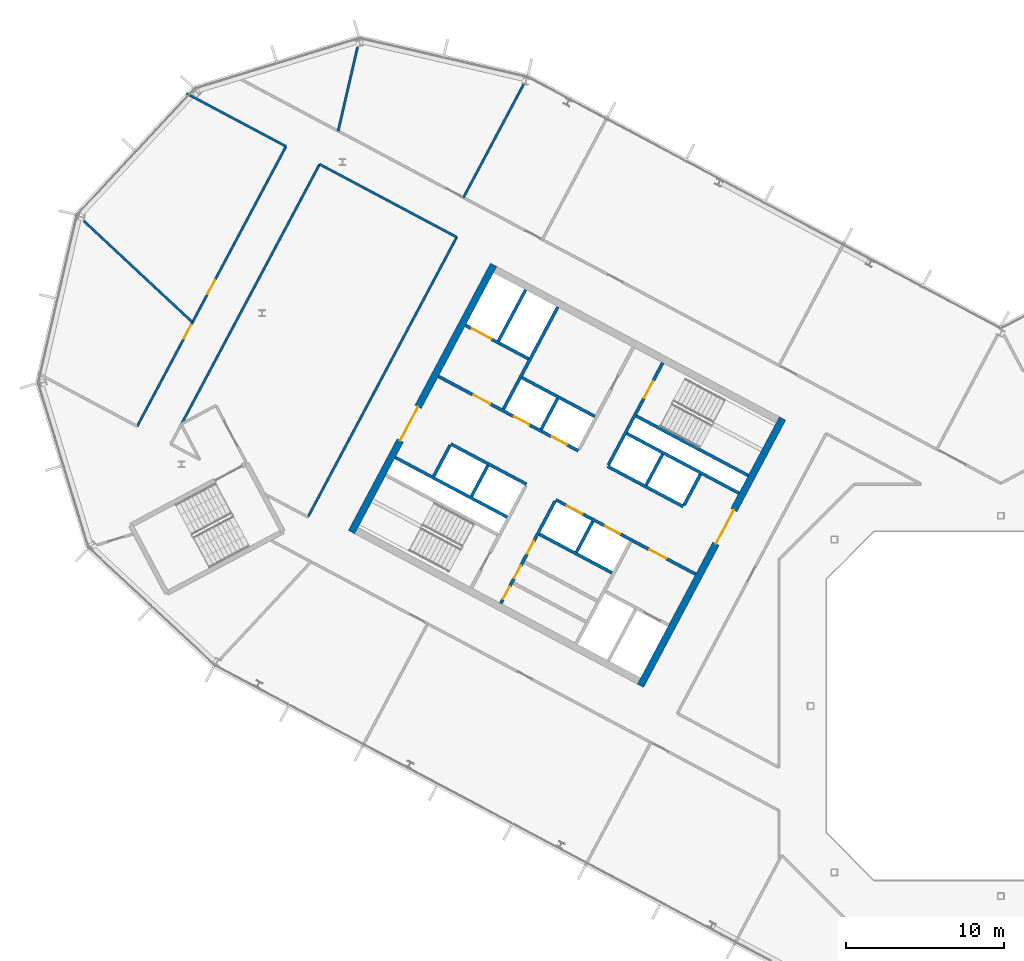
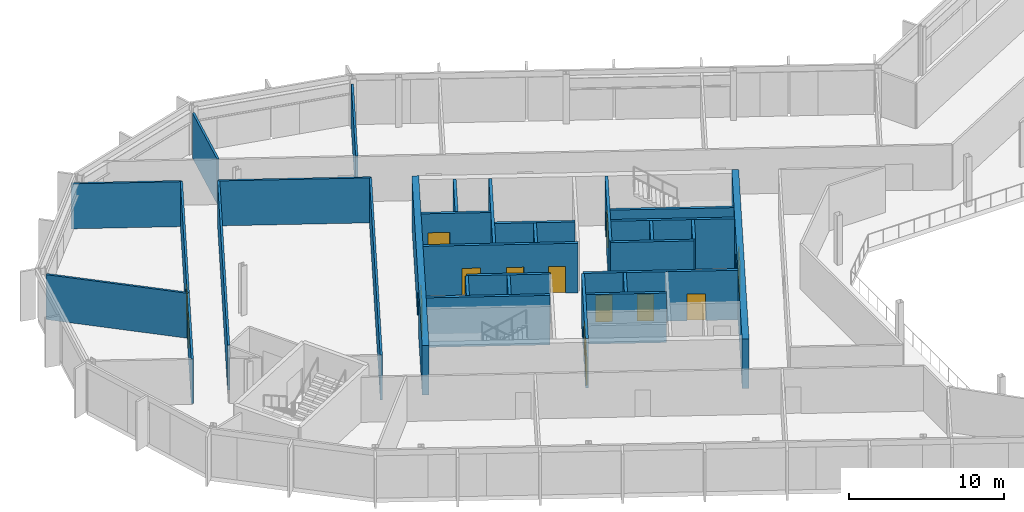
# One storey, part 14 of 26: 30 walls, 15 doors, 15 openings.
"""IFC4 building model written with IfcOpenShell, lengths in metres."""

from ifc_helpers import new_model, si_unit, direction, frame, frame_2d, origin, place, context, subcontext, project, spatial, rectangle, extrude, material, layer, layer_set, type_object, element, fill, save


model = new_model("IFC4")

# Units and contexts
model_context = context("Model", 3, precision=1e-05, world=origin(), true_north=direction((0.0, 1.0)))
body_context = subcontext(model_context, "Body", "Model", "MODEL_VIEW")
ifc_project = project(units=[si_unit("LENGTHUNIT", "METRE"), si_unit("AREAUNIT", "SQUARE_METRE"), si_unit("VOLUMEUNIT", "CUBIC_METRE"), si_unit("PLANEANGLEUNIT", "RADIAN"), si_unit("MASSUNIT", "GRAM", prefix="KILO")], contexts=[model_context])

# Site, building, storey
site_placement = place(None, origin())
site = spatial("IfcSite", under=ifc_project, at=site_placement, CompositionType="ELEMENT")
building_placement = place(site_placement, origin())
building = spatial("IfcBuilding", under=site, at=building_placement, Name="Cormorant Relay Tower", CompositionType="ELEMENT")
storey_placement = place(building_placement, frame((0.0, 0.0, 261.89990234375)))
storey = spatial("IfcBuildingStorey", under=building, at=storey_placement, Name="L58", CompositionType="ELEMENT", Elevation=261.89990234375)

# Walls
ifc_material_1 = material(Name="Concrete 40 MPa", Category="concrete")
ifc_layer_1 = layer(ifc_material_1, 0.199951171875)
ifc_layer_set_1 = layer_set([ifc_layer_1], Name="Core internal wall 200")
wall_type_1 = type_object("IfcWallType", Name="Core internal wall 200", PredefinedType="SOLIDWALL", material=ifc_layer_set_1)
wall_1_placement = place(storey_placement, frame((-21.34375, 15.87890625, 0.0), z_axis=(0.0, 0.0, 1.0), x_axis=(-0.4694473164, -0.882960484464, 0.0)))
element("IfcWall", 1, at=wall_1_placement, inside=storey, type_object=wall_type_1, Name="L58 core A shaft and room wall", PredefinedType="SOLIDWALL", context=body_context, shape_type="SweptSolid", body=[
    extrude(rectangle(XDim=2.199951171875, YDim=0.199951171875, at=frame_2d((1.10009765625, 0.0))), origin(), (0.0, 0.0, 1.0), 3.900146484375),
])
wall_2_placement = place(storey_placement, frame((-25.744140625, 11.64990234375, 0.0), z_axis=(0.0, 0.0, 1.0), x_axis=(-0.469487830541, -0.882938942948, 0.0)))
element("IfcWall", 2, at=wall_2_placement, inside=storey, type_object=wall_type_1, Name="L58 core A shaft and room wall", PredefinedType="SOLIDWALL", context=body_context, shape_type="SweptSolid", body=[
    extrude(rectangle(XDim=2.2001953125, YDim=0.199951171875, at=frame_2d((1.10009765625, 0.0))), origin(), (0.0, 0.0, 1.0), 3.900146484375),
])
wall_3_placement = place(storey_placement, frame((-27.9658203125, 19.39990234375, 0.0), z_axis=(0.0, 0.0, 1.0), x_axis=(-0.4694473164, -0.882960484464, 0.0)))
element("IfcWall", 3, at=wall_3_placement, inside=storey, type_object=wall_type_1, Name="L58 core A shaft and room wall", PredefinedType="SOLIDWALL", context=body_context, shape_type="SweptSolid", body=[
    extrude(rectangle(XDim=2.199951171875, YDim=0.199951171875, at=frame_2d((1.10009765625, 0.0))), origin(), (0.0, 0.0, 1.0), 3.900146484375),
])
wall_4_placement = place(storey_placement, frame((-32.3662109375, 15.1708984375, 0.0), z_axis=(0.0, 0.0, 1.0), x_axis=(-0.469487830541, -0.882938942948, 0.0)))
element("IfcWall", 4, at=wall_4_placement, inside=storey, type_object=wall_type_1, Name="L58 core A shaft and room wall", PredefinedType="SOLIDWALL", context=body_context, shape_type="SweptSolid", body=[
    extrude(rectangle(XDim=2.2001953125, YDim=0.199951171875, at=frame_2d((1.10009765625, 0.0))), origin(), (0.0, 0.0, 1.0), 3.900146484375),
])
ifc_material_2 = material(Name="Concrete 50 MPa", Category="concrete")
ifc_layer_2 = layer(ifc_material_2, 0.199951171875)
ifc_layer_set_2 = layer_set([ifc_layer_2], Name="Core shaft wall 200")
wall_type_2 = type_object("IfcWallType", Name="Core shaft wall 200", PredefinedType="SHEAR", material=ifc_layer_set_2)
wall_5_placement = place(storey_placement, frame((-18.959716796875, 14.611328125, 0.0), z_axis=(0.0, 0.0, 1.0), x_axis=(-0.4694473164, -0.882960484464, 0.0)))
element("IfcWall", 5, at=wall_5_placement, inside=storey, type_object=wall_type_2, Name="L58 core A shaft wall", PredefinedType="SHEAR", context=body_context, shape_type="SweptSolid", body=[
    extrude(rectangle(XDim=2.199951171875, YDim=0.199951171875, at=frame_2d((1.10009765625, 0.0))), origin(), (0.0, 0.0, 1.0), 3.900146484375),
])

# Wall, opening, door
wall_6_placement = place(storey_placement, frame((-21.333251953125, 21.6494140625, 0.0), z_axis=(0.0, 0.0, 1.0), x_axis=(-0.469494272526, -0.882935517501, 0.0)))
wall_6 = element("IfcWall", 6, at=wall_6_placement, inside=storey, type_object=wall_type_2, Name="L58 core A shaft wall", PredefinedType="SHEAR", context=body_context, shape_type="SweptSolid", body=[
    extrude(rectangle(XDim=7.2998046875, YDim=0.199951171875, at=frame_2d((3.64990234375, 0.0))), origin(), (0.0, 0.0, 1.0), 3.900146484375),
])
opening_1_placement = place(wall_6_placement, frame((1.300048828125, 0.0, 0.0)))
opening_1 = element("IfcOpeningElement", 7, at=opening_1_placement, cuts=wall_6, Name="Opening CDB-038", PredefinedType="OPENING", context=body_context, shape_type="SweptSolid", body=[
    extrude(rectangle(XDim=1.199951171875, YDim=2.10009765625, at=frame_2d((0.60009765625, 1.050048828125))), frame((0.0, 0.10986328125, 0.0), z_axis=(0.0, -1.0, 0.0), x_axis=(1.0, 0.0, 0.0)), (0.0, 0.0, 1.0), 0.219970703125),
])
ifc_material_3 = material(Name="Steel fire door", Category="steel")
door_type_1 = type_object("IfcDoorType", Name="Core stair door 1200x2100", OperationType="SINGLE_SWING_LEFT", PredefinedType="DOOR", material=ifc_material_3)
door_1_placement = place(opening_1_placement, origin())
door_1 = element("IfcDoor", 8, at=door_1_placement, inside=storey, type_object=door_type_1, Name="Core stair door 1200x2100", OperationType="SINGLE_SWING_RIGHT", OverallHeight=2.10009765625, OverallWidth=1.199951171875, PredefinedType="DOOR", context=body_context, shape_type="SweptSolid", body=[
    extrude(rectangle(XDim=1.199951171875, YDim=2.10009765625, at=frame_2d((0.60009765625, 1.050048828125))), frame((0.0, 0.02490234375, 0.0), z_axis=(0.0, -1.0, 0.0), x_axis=(1.0, 0.0, 0.0)), (0.0, 0.0, 1.0), 0.050048828125),
])
fill(opening_1, door_1)

# Wall, openings, doors
wall_7_placement = place(storey_placement, frame((-28.128173828125, 12.91748046875, 0.0), z_axis=(0.0, 0.0, 1.0), x_axis=(-0.469454336211, -0.882956752176, 0.0)))
wall_7 = element("IfcWall", 9, at=wall_7_placement, inside=storey, type_object=wall_type_2, Name="L58 core A shaft wall", PredefinedType="SHEAR", context=body_context, shape_type="SweptSolid", body=[
    extrude(rectangle(XDim=7.300048828125, YDim=0.199951171875, at=frame_2d((3.64990234375, 0.0))), origin(), (0.0, 0.0, 1.0), 3.900146484375),
])
opening_2_placement = place(wall_7_placement, frame((2.85009765625, 0.0, 0.0)))
opening_2 = element("IfcOpeningElement", 10, at=opening_2_placement, cuts=wall_7, Name="Opening CDD-289", PredefinedType="OPENING", context=body_context, shape_type="SweptSolid", body=[
    extrude(rectangle(XDim=0.89990234375, YDim=2.10009765625, at=frame_2d((0.449951171875, 1.050048828125))), frame((0.0, 0.10986328125, 0.0), z_axis=(0.0, -1.0, 0.0), x_axis=(1.0, 0.0, 0.0)), (0.0, 0.0, 1.0), 0.219970703125),
])
opening_3_placement = place(wall_7_placement, frame((4.60009765625, 0.0, 0.0)))
opening_3 = element("IfcOpeningElement", 11, at=opening_3_placement, cuts=wall_7, Name="Opening CDD-290", PredefinedType="OPENING", context=body_context, shape_type="SweptSolid", body=[
    extrude(rectangle(XDim=0.89990234375, YDim=2.10009765625, at=frame_2d((0.449951171875, 1.050048828125))), frame((0.0, 0.10986328125, 0.0), z_axis=(0.0, -1.0, 0.0), x_axis=(1.0, 0.0, 0.0)), (0.0, 0.0, 1.0), 0.219970703125),
])
opening_4_placement = place(wall_7_placement, frame((6.10009765625, 0.0, 0.0)))
opening_4 = element("IfcOpeningElement", 12, at=opening_4_placement, cuts=wall_7, Name="Opening CDD-291", PredefinedType="OPENING", context=body_context, shape_type="SweptSolid", body=[
    extrude(rectangle(XDim=0.89990234375, YDim=2.10009765625, at=frame_2d((0.449951171875, 1.050048828125))), frame((0.0, 0.10986328125, 0.0), z_axis=(0.0, -1.0, 0.0), x_axis=(1.0, 0.0, 0.0)), (0.0, 0.0, 1.0), 0.219970703125),
])
ifc_material_4 = material(Name="Steel fire door", Category="steel")
door_type_2 = type_object("IfcDoorType", Name="Core room door 900x2100", OperationType="SINGLE_SWING_LEFT", PredefinedType="DOOR", material=ifc_material_4)
door_2_placement = place(opening_2_placement, origin())
door_2 = element("IfcDoor", 13, at=door_2_placement, inside=storey, type_object=door_type_2, Name="Core room door 900x2100", OperationType="SINGLE_SWING_LEFT", OverallHeight=2.10009765625, OverallWidth=0.89990234375, PredefinedType="DOOR", context=body_context, shape_type="SweptSolid", body=[
    extrude(rectangle(XDim=0.89990234375, YDim=2.10009765625, at=frame_2d((0.449951171875, 1.050048828125))), frame((0.0, 0.02490234375, 0.0), z_axis=(0.0, -1.0, 0.0), x_axis=(1.0, 0.0, 0.0)), (0.0, 0.0, 1.0), 0.050048828125),
])
fill(opening_2, door_2)
door_3_placement = place(opening_3_placement, origin())
door_3 = element("IfcDoor", 14, at=door_3_placement, inside=storey, type_object=door_type_2, Name="Core room door 900x2100", OperationType="SINGLE_SWING_LEFT", OverallHeight=2.10009765625, OverallWidth=0.89990234375, PredefinedType="DOOR", context=body_context, shape_type="SweptSolid", body=[
    extrude(rectangle(XDim=0.89990234375, YDim=2.10009765625, at=frame_2d((0.449951171875, 1.050048828125))), frame((0.0, 0.02490234375, 0.0), z_axis=(0.0, -1.0, 0.0), x_axis=(1.0, 0.0, 0.0)), (0.0, 0.0, 1.0), 0.050048828125),
])
fill(opening_3, door_3)
door_4_placement = place(opening_4_placement, origin())
door_4 = element("IfcDoor", 15, at=door_4_placement, inside=storey, type_object=door_type_2, Name="Core room door 900x2100", OperationType="SINGLE_SWING_LEFT", OverallHeight=2.10009765625, OverallWidth=0.89990234375, PredefinedType="DOOR", context=body_context, shape_type="SweptSolid", body=[
    extrude(rectangle(XDim=0.89990234375, YDim=2.10009765625, at=frame_2d((0.449951171875, 1.050048828125))), frame((0.0, 0.02490234375, 0.0), z_axis=(0.0, -1.0, 0.0), x_axis=(1.0, 0.0, 0.0)), (0.0, 0.0, 1.0), 0.050048828125),
])
fill(opening_4, door_4)

# Walls
wall_8_placement = place(storey_placement, frame((-27.955322265625, 25.170654296875, 0.0), z_axis=(0.0, 0.0, 1.0), x_axis=(-0.469480409012, -0.88294288918, 0.0)))
element("IfcWall", 16, at=wall_8_placement, inside=storey, type_object=wall_type_2, Name="L58 core A shaft wall", PredefinedType="SHEAR", context=body_context, shape_type="SweptSolid", body=[
    extrude(rectangle(XDim=7.300048828125, YDim=0.199951171875, at=frame_2d((3.64990234375, 0.0))), origin(), (0.0, 0.0, 1.0), 3.900146484375),
])
wall_9_placement = place(storey_placement, frame((-34.750244140625, 16.4384765625, 0.0), z_axis=(0.0, 0.0, 1.0), x_axis=(-0.469401318492, -0.882984938828, 0.0)))
element("IfcWall", 17, at=wall_9_placement, inside=storey, type_object=wall_type_2, Name="L58 core A shaft wall", PredefinedType="SHEAR", context=body_context, shape_type="SweptSolid", body=[
    extrude(rectangle(XDim=2.199951171875, YDim=0.199951171875, at=frame_2d((1.10009765625, 0.0))), origin(), (0.0, 0.0, 1.0), 3.900146484375),
])
wall_10_placement = place(storey_placement, frame((-29.986083984375, 26.250244140625, 0.0), z_axis=(0.0, 0.0, 1.0), x_axis=(-0.469494272526, -0.882935517501, 0.0)))
element("IfcWall", 18, at=wall_10_placement, inside=storey, type_object=wall_type_2, Name="L58 core A shaft wall", PredefinedType="SHEAR", context=body_context, shape_type="SweptSolid", body=[
    extrude(rectangle(XDim=3.64990234375, YDim=0.199951171875, at=frame_2d((1.824951171875, 0.0))), origin(), (0.0, 0.0, 1.0), 3.900146484375),
])
wall_11_placement = place(storey_placement, frame((-15.94189453125, 14.53564453125, 0.0), z_axis=(0.0, 0.0, 1.0), x_axis=(-0.882946947542, 0.469472776449, 0.0)))
element("IfcWall", 19, at=wall_11_placement, inside=storey, type_object=wall_type_2, Name="L58 core A shaft wall", PredefinedType="SHEAR", context=body_context, shape_type="SweptSolid", body=[
    extrude(rectangle(XDim=8.000244140625, YDim=0.199951171875, at=frame_2d((4.0, 0.0))), origin(), (0.0, 0.0, 1.0), 3.900146484375),
])

# Wall, opening, door
wall_12_placement = place(storey_placement, frame((-29.80419921875, 21.906494140625, 0.0), z_axis=(0.0, 0.0, 1.0), x_axis=(-0.882960433586, 0.469447412093, 0.0)))
wall_12 = element("IfcWall", 20, at=wall_12_placement, inside=storey, type_object=wall_type_2, Name="L58 core A shaft wall", PredefinedType="SHEAR", context=body_context, shape_type="SweptSolid", body=[
    extrude(rectangle(XDim=4.5, YDim=0.199951171875, at=frame_2d((2.25, 0.0))), origin(), (0.0, 0.0, 1.0), 3.900146484375),
])
opening_5_placement = place(wall_12_placement, frame((2.64990234375, 0.0, 0.0)))
opening_5 = element("IfcOpeningElement", 21, at=opening_5_placement, cuts=wall_12, Name="Opening LD3-015", PredefinedType="OPENING", context=body_context, shape_type="SweptSolid", body=[
    extrude(rectangle(XDim=1.39990234375, YDim=2.39990234375, at=frame_2d((0.699951171875, 1.199951171875))), frame((0.0, 0.10986328125, 0.0), z_axis=(0.0, -1.0, 0.0), x_axis=(1.0, 0.0, 0.0)), (0.0, 0.0, 1.0), 0.219970703125),
])
ifc_material_5 = material(Name="Stainless steel 316", Category="steel")
door_type_3 = type_object("IfcDoorType", Name="Lift landing door 1400x2400", OperationType="DOUBLE_DOOR_SLIDING", PredefinedType="DOOR", material=ifc_material_5)
door_5_placement = place(opening_5_placement, origin())
door_5 = element("IfcDoor", 22, at=door_5_placement, inside=storey, type_object=door_type_3, Name="SV1 landing door", OperationType="DOUBLE_DOOR_SLIDING", OverallHeight=2.39990234375, OverallWidth=1.39990234375, PredefinedType="DOOR", context=body_context, shape_type="SweptSolid", body=[
    extrude(rectangle(XDim=1.39990234375, YDim=2.39990234375, at=frame_2d((0.699951171875, 1.199951171875))), frame((0.0, 0.02490234375, 0.0), z_axis=(0.0, -1.0, 0.0), x_axis=(1.0, 0.0, 0.0)), (0.0, 0.0, 1.0), 0.050048828125),
])
fill(opening_5, door_5)

# Walls
wall_13_placement = place(storey_placement, frame((-16.52880859375, 13.43212890625, 0.0), z_axis=(0.0, 0.0, 1.0), x_axis=(-0.88295287151, 0.469461634952, 0.0)))
element("IfcWall", 23, at=wall_13_placement, inside=storey, type_object=wall_type_2, Name="L58 core A shaft wall", PredefinedType="SHEAR", context=body_context, shape_type="SweptSolid", body=[
    extrude(rectangle(XDim=7.999755859375, YDim=0.199951171875, at=frame_2d((4.0, 0.0))), origin(), (0.0, 0.0, 1.0), 3.900146484375),
])
wall_14_placement = place(storey_placement, frame((-25.623046875, 18.267578125, 0.0), z_axis=(0.0, 0.0, 1.0), x_axis=(-0.882953967957, 0.469459572775, 0.0)))
element("IfcWall", 24, at=wall_14_placement, inside=storey, type_object=wall_type_2, Name="L58 core A shaft wall", PredefinedType="SHEAR", context=body_context, shape_type="SweptSolid", body=[
    extrude(rectangle(XDim=5.199951171875, YDim=0.199951171875, at=frame_2d((2.60009765625, 0.0))), origin(), (0.0, 0.0, 1.0), 3.900146484375),
])
wall_15_placement = place(storey_placement, frame((-20.03955078125, 12.58056640625, 0.0), z_axis=(0.0, 0.0, 1.0), x_axis=(-0.882942972946, 0.469480251476, 0.0)))
element("IfcWall", 25, at=wall_15_placement, inside=storey, type_object=wall_type_2, Name="L58 core A shaft wall", PredefinedType="SHEAR", context=body_context, shape_type="SweptSolid", body=[
    extrude(rectangle(XDim=5.39990234375, YDim=0.199951171875, at=frame_2d((2.699951171875, 0.0))), origin(), (0.0, 0.0, 1.0), 3.900146484375),
])

# Wall, openings, doors
wall_16_placement = place(storey_placement, frame((-26.66162109375, 16.1015625, 0.0), z_axis=(0.0, 0.0, 1.0), x_axis=(-0.882940221191, 0.469485426614, 0.0)))
wall_16 = element("IfcWall", 26, at=wall_16_placement, inside=storey, type_object=wall_type_2, Name="L58 core A shaft wall", PredefinedType="SHEAR", context=body_context, shape_type="SweptSolid", body=[
    extrude(rectangle(XDim=10.0, YDim=0.199951171875, at=frame_2d((5.0, 0.0))), origin(), (0.0, 0.0, 1.0), 3.900146484375),
])
opening_6_placement = place(wall_16_placement, frame((6.300048828125, 0.0, 0.0)))
opening_6 = element("IfcOpeningElement", 27, at=opening_6_placement, cuts=wall_16, Name="Opening CDC-039", PredefinedType="OPENING", context=body_context, shape_type="SweptSolid", body=[
    extrude(rectangle(XDim=1.199951171875, YDim=2.10009765625, at=frame_2d((0.60009765625, 1.050048828125))), frame((0.0, 0.10986328125, 0.0), z_axis=(0.0, -1.0, 0.0), x_axis=(1.0, 0.0, 0.0)), (0.0, 0.0, 1.0), 0.219970703125),
])
opening_7_placement = place(wall_16_placement, frame((0.800048828125, 0.0, 0.0)))
opening_7 = element("IfcOpeningElement", 28, at=opening_7_placement, cuts=wall_16, Name="Opening LD1-067", PredefinedType="OPENING", context=body_context, shape_type="SweptSolid", body=[
    extrude(rectangle(XDim=1.10009765625, YDim=2.10009765625, at=frame_2d((0.550048828125, 1.050048828125))), frame((0.0, 0.10986328125, 0.0), z_axis=(0.0, -1.0, 0.0), x_axis=(1.0, 0.0, 0.0)), (0.0, 0.0, 1.0), 0.219970703125),
])
opening_8_placement = place(wall_16_placement, frame((3.5, 0.0, 0.0)))
opening_8 = element("IfcOpeningElement", 29, at=opening_8_placement, cuts=wall_16, Name="Opening LD1-068", PredefinedType="OPENING", context=body_context, shape_type="SweptSolid", body=[
    extrude(rectangle(XDim=1.10009765625, YDim=2.10009765625, at=frame_2d((0.550048828125, 1.050048828125))), frame((0.0, 0.10986328125, 0.0), z_axis=(0.0, -1.0, 0.0), x_axis=(1.0, 0.0, 0.0)), (0.0, 0.0, 1.0), 0.219970703125),
])
ifc_material_6 = material(Name="Steel fire door", Category="steel")
door_type_4 = type_object("IfcDoorType", Name="Core lobby door 1200x2100", OperationType="SINGLE_SWING_LEFT", PredefinedType="DOOR", material=ifc_material_6)
door_6_placement = place(opening_6_placement, frame((1.199951171875, 0.0, 0.0), z_axis=(0.0, 0.0, 1.0), x_axis=(-1.0, 0.0, 0.0)))
door_6 = element("IfcDoor", 30, at=door_6_placement, inside=storey, type_object=door_type_4, Name="Core lobby door 1200x2100", OperationType="SINGLE_SWING_RIGHT", OverallHeight=2.10009765625, OverallWidth=1.199951171875, PredefinedType="DOOR", context=body_context, shape_type="SweptSolid", body=[
    extrude(rectangle(XDim=1.199951171875, YDim=2.10009765625, at=frame_2d((0.60009765625, 1.050048828125))), frame((0.0, 0.02490234375, 0.0), z_axis=(0.0, -1.0, 0.0), x_axis=(1.0, 0.0, 0.0)), (0.0, 0.0, 1.0), 0.050048828125),
])
fill(opening_6, door_6)
ifc_material_7 = material(Name="Stainless steel 316", Category="steel")
door_type_5 = type_object("IfcDoorType", Name="Lift landing door 1100x2100", OperationType="DOUBLE_DOOR_SLIDING", PredefinedType="DOOR", material=ifc_material_7)
door_7_placement = place(opening_7_placement, origin())
door_7 = element("IfcDoor", 31, at=door_7_placement, inside=storey, type_object=door_type_5, Name="HR3 landing door", OperationType="DOUBLE_DOOR_SLIDING", OverallHeight=2.10009765625, OverallWidth=1.10009765625, PredefinedType="DOOR", context=body_context, shape_type="SweptSolid", body=[
    extrude(rectangle(XDim=1.10009765625, YDim=2.10009765625, at=frame_2d((0.550048828125, 1.050048828125))), frame((0.0, 0.02490234375, 0.0), z_axis=(0.0, -1.0, 0.0), x_axis=(1.0, 0.0, 0.0)), (0.0, 0.0, 1.0), 0.050048828125),
])
fill(opening_7, door_7)
door_8_placement = place(opening_8_placement, origin())
door_8 = element("IfcDoor", 32, at=door_8_placement, inside=storey, type_object=door_type_5, Name="HR4 landing door", OperationType="DOUBLE_DOOR_SLIDING", OverallHeight=2.10009765625, OverallWidth=1.10009765625, PredefinedType="DOOR", context=body_context, shape_type="SweptSolid", body=[
    extrude(rectangle(XDim=1.10009765625, YDim=2.10009765625, at=frame_2d((0.550048828125, 1.050048828125))), frame((0.0, 0.02490234375, 0.0), z_axis=(0.0, -1.0, 0.0), x_axis=(1.0, 0.0, 0.0)), (0.0, 0.0, 1.0), 0.050048828125),
])
fill(opening_8, door_8)

wall_17_placement = place(storey_placement, frame((-19.251708984375, 8.31103515625, 0.0), z_axis=(0.0, 0.0, 1.0), x_axis=(-0.882955722218, 0.469456273365, 0.0)))
wall_17 = element("IfcWall", 33, at=wall_17_placement, inside=storey, type_object=wall_type_2, Name="L58 core A shaft wall", PredefinedType="SHEAR", context=body_context, shape_type="SweptSolid", body=[
    extrude(rectangle(XDim=10.0, YDim=0.199951171875, at=frame_2d((5.0, 0.0))), origin(), (0.0, 0.0, 1.0), 3.900146484375),
])
opening_9_placement = place(wall_17_placement, frame((2.10009765625, 0.0, 0.0)))
opening_9 = element("IfcOpeningElement", 34, at=opening_9_placement, cuts=wall_17, Name="Opening CDC-033", PredefinedType="OPENING", context=body_context, shape_type="SweptSolid", body=[
    extrude(rectangle(XDim=1.199951171875, YDim=2.10009765625, at=frame_2d((0.60009765625, 1.050048828125))), frame((0.0, 0.10986328125, 0.0), z_axis=(0.0, -1.0, 0.0), x_axis=(1.0, 0.0, 0.0)), (0.0, 0.0, 1.0), 0.219970703125),
])
opening_10_placement = place(wall_17_placement, frame((5.39990234375, 0.0, 0.0)))
opening_10 = element("IfcOpeningElement", 35, at=opening_10_placement, cuts=wall_17, Name="Opening LD1-065", PredefinedType="OPENING", context=body_context, shape_type="SweptSolid", body=[
    extrude(rectangle(XDim=1.10009765625, YDim=2.10009765625, at=frame_2d((0.550048828125, 1.050048828125))), frame((0.0, 0.10986328125, 0.0), z_axis=(0.0, -1.0, 0.0), x_axis=(1.0, 0.0, 0.0)), (0.0, 0.0, 1.0), 0.219970703125),
])
opening_11_placement = place(wall_17_placement, frame((8.10009765625, 0.0, 0.0)))
opening_11 = element("IfcOpeningElement", 36, at=opening_11_placement, cuts=wall_17, Name="Opening LD1-066", PredefinedType="OPENING", context=body_context, shape_type="SweptSolid", body=[
    extrude(rectangle(XDim=1.10009765625, YDim=2.10009765625, at=frame_2d((0.550048828125, 1.050048828125))), frame((0.0, 0.10986328125, 0.0), z_axis=(0.0, -1.0, 0.0), x_axis=(1.0, 0.0, 0.0)), (0.0, 0.0, 1.0), 0.219970703125),
])
door_9_placement = place(opening_9_placement, origin())
door_9 = element("IfcDoor", 37, at=door_9_placement, inside=storey, type_object=door_type_4, Name="Core lobby door 1200x2100", OperationType="SINGLE_SWING_RIGHT", OverallHeight=2.10009765625, OverallWidth=1.199951171875, PredefinedType="DOOR", context=body_context, shape_type="SweptSolid", body=[
    extrude(rectangle(XDim=1.199951171875, YDim=2.10009765625, at=frame_2d((0.60009765625, 1.050048828125))), frame((0.0, 0.02490234375, 0.0), z_axis=(0.0, -1.0, 0.0), x_axis=(1.0, 0.0, 0.0)), (0.0, 0.0, 1.0), 0.050048828125),
])
fill(opening_9, door_9)
door_10_placement = place(opening_10_placement, origin())
door_10 = element("IfcDoor", 38, at=door_10_placement, inside=storey, type_object=door_type_5, Name="HR1 landing door", OperationType="DOUBLE_DOOR_SLIDING", OverallHeight=2.10009765625, OverallWidth=1.10009765625, PredefinedType="DOOR", context=body_context, shape_type="SweptSolid", body=[
    extrude(rectangle(XDim=1.10009765625, YDim=2.10009765625, at=frame_2d((0.550048828125, 1.050048828125))), frame((0.0, 0.02490234375, 0.0), z_axis=(0.0, -1.0, 0.0), x_axis=(1.0, 0.0, 0.0)), (0.0, 0.0, 1.0), 0.050048828125),
])
fill(opening_10, door_10)
door_11_placement = place(opening_11_placement, origin())
door_11 = element("IfcDoor", 39, at=door_11_placement, inside=storey, type_object=door_type_5, Name="HR2 landing door", OperationType="DOUBLE_DOOR_SLIDING", OverallHeight=2.10009765625, OverallWidth=1.10009765625, PredefinedType="DOOR", context=body_context, shape_type="SweptSolid", body=[
    extrude(rectangle(XDim=1.10009765625, YDim=2.10009765625, at=frame_2d((0.550048828125, 1.050048828125))), frame((0.0, 0.02490234375, 0.0), z_axis=(0.0, -1.0, 0.0), x_axis=(1.0, 0.0, 0.0)), (0.0, 0.0, 1.0), 0.050048828125),
])
fill(opening_11, door_11)

# Walls
wall_18_placement = place(storey_placement, frame((-29.935302734375, 13.991455078125, 0.0), z_axis=(0.0, 0.0, 1.0), x_axis=(-0.882952937579, 0.469461510692, 0.0)))
element("IfcWall", 40, at=wall_18_placement, inside=storey, type_object=wall_type_2, Name="L58 core A shaft wall", PredefinedType="SHEAR", context=body_context, shape_type="SweptSolid", body=[
    extrude(rectangle(XDim=5.400146484375, YDim=0.199951171875, at=frame_2d((2.7001953125, 0.0))), origin(), (0.0, 0.0, 1.0), 3.900146484375),
])
wall_19_placement = place(storey_placement, frame((-24.5283203125, 8.3984375, 0.0), z_axis=(0.0, 0.0, 1.0), x_axis=(-0.882953967957, 0.469459572775, 0.0)))
element("IfcWall", 41, at=wall_19_placement, inside=storey, type_object=wall_type_2, Name="L58 core A shaft wall", PredefinedType="SHEAR", context=body_context, shape_type="SweptSolid", body=[
    extrude(rectangle(XDim=5.199951171875, YDim=0.199951171875, at=frame_2d((2.60009765625, 0.0))), origin(), (0.0, 0.0, 1.0), 3.900146484375),
])
wall_20_placement = place(storey_placement, frame((-31.150390625, 11.91943359375, 0.0), z_axis=(0.0, 0.0, 1.0), x_axis=(-0.882940221191, 0.469485426614, 0.0)))
element("IfcWall", 42, at=wall_20_placement, inside=storey, type_object=wall_type_2, Name="L58 core A shaft wall", PredefinedType="SHEAR", context=body_context, shape_type="SweptSolid", body=[
    extrude(rectangle(XDim=8.0, YDim=0.199951171875, at=frame_2d((4.0, 0.0))), origin(), (0.0, 0.0, 1.0), 3.900146484375),
])

# Wall, opening, door
ifc_material_8 = material(Name="Concrete 50 MPa", Category="concrete")
ifc_layer_3 = layer(ifc_material_8, 0.449951171875)
ifc_layer_set_3 = layer_set([ifc_layer_3], Name="Core wall 450")
wall_type_3 = type_object("IfcWallType", Name="Core wall 450", PredefinedType="SHEAR", material=ifc_layer_set_3)
wall_21_placement = place(storey_placement, frame((-13.771484375, 18.138427734375, 0.0), z_axis=(0.0, 0.0, 1.0), x_axis=(-0.469467968382, -0.882949504028, 0.0)))
wall_21 = element("IfcWall", 43, at=wall_21_placement, inside=storey, type_object=wall_type_3, Name="L58 core A wall", PredefinedType="SHEAR", context=body_context, shape_type="SweptSolid", body=[
    extrude(rectangle(XDim=19.099853515625, YDim=0.449951171875, at=frame_2d((9.5498046875, 0.0))), origin(), (0.0, 0.0, 1.0), 3.900146484375),
])
opening_12_placement = place(wall_21_placement, frame((6.550048828125, 0.0, 0.0)))
opening_12 = element("IfcOpeningElement", 44, at=opening_12_placement, cuts=wall_21, Name="Opening CDA-054", PredefinedType="OPENING", context=body_context, shape_type="SweptSolid", body=[
    extrude(rectangle(XDim=2.39990234375, YDim=2.39990234375, at=frame_2d((1.199951171875, 1.199951171875))), frame((0.0, 0.23486328125, 0.0), z_axis=(0.0, -1.0, 0.0), x_axis=(1.0, 0.0, 0.0)), (0.0, 0.0, 1.0), 0.469970703125),
])
ifc_material_9 = material(Name="Steel fire door", Category="steel")
door_type_6 = type_object("IfcDoorType", Name="Core lobby door 2400x2400", OperationType="DOUBLE_DOOR_SINGLE_SWING", PredefinedType="DOOR", material=ifc_material_9)
door_12_placement = place(opening_12_placement, frame((2.39990234375, 0.0, 0.0), z_axis=(0.0, 0.0, 1.0), x_axis=(-1.0, 0.0, 0.0)))
door_12 = element("IfcDoor", 45, at=door_12_placement, inside=storey, type_object=door_type_6, Name="Core lobby door 2400x2400", OperationType="DOUBLE_DOOR_SINGLE_SWING", OverallHeight=2.39990234375, OverallWidth=2.39990234375, PredefinedType="DOOR", context=body_context, shape_type="SweptSolid", body=[
    extrude(rectangle(XDim=2.39990234375, YDim=2.39990234375, at=frame_2d((1.199951171875, 1.199951171875))), frame((0.0, 0.02490234375, 0.0), z_axis=(0.0, -1.0, 0.0), x_axis=(1.0, 0.0, 0.0)), (0.0, 0.0, 1.0), 0.050048828125),
])
fill(opening_12, door_12)

wall_22_placement = place(storey_placement, frame((-32.00439453125, 27.8330078125, 0.0), z_axis=(0.0, 0.0, 1.0), x_axis=(-0.469467968382, -0.882949504028, 0.0)))
wall_22 = element("IfcWall", 46, at=wall_22_placement, inside=storey, type_object=wall_type_3, Name="L58 core A wall", PredefinedType="SHEAR", context=body_context, shape_type="SweptSolid", body=[
    extrude(rectangle(XDim=19.099853515625, YDim=0.449951171875, at=frame_2d((9.5498046875, 0.0))), origin(), (0.0, 0.0, 1.0), 3.900146484375),
])
opening_13_placement = place(wall_22_placement, frame((10.14990234375, 0.0, 0.0)))
opening_13 = element("IfcOpeningElement", 47, at=opening_13_placement, cuts=wall_22, Name="Opening CDA-051", PredefinedType="OPENING", context=body_context, shape_type="SweptSolid", body=[
    extrude(rectangle(XDim=2.39990234375, YDim=2.39990234375, at=frame_2d((1.199951171875, 1.199951171875))), frame((0.0, 0.23486328125, 0.0), z_axis=(0.0, -1.0, 0.0), x_axis=(1.0, 0.0, 0.0)), (0.0, 0.0, 1.0), 0.469970703125),
])
door_13_placement = place(opening_13_placement, origin())
door_13 = element("IfcDoor", 48, at=door_13_placement, inside=storey, type_object=door_type_6, Name="Core lobby door 2400x2400", OperationType="DOUBLE_DOOR_SINGLE_SWING", OverallHeight=2.39990234375, OverallWidth=2.39990234375, PredefinedType="DOOR", context=body_context, shape_type="SweptSolid", body=[
    extrude(rectangle(XDim=2.39990234375, YDim=2.39990234375, at=frame_2d((1.199951171875, 1.199951171875))), frame((0.0, 0.02490234375, 0.0), z_axis=(0.0, -1.0, 0.0), x_axis=(1.0, 0.0, 0.0)), (0.0, 0.0, 1.0), 0.050048828125),
])
fill(opening_13, door_13)

# Wall, openings, doors
ifc_material_10 = material(Name="Gypsum board fire partition")
ifc_layer_4 = layer(ifc_material_10, 0.14990234375)
ifc_layer_set_4 = layer_set([ifc_layer_4], Name="Corridor partition 150 EI 60")
wall_type_4 = type_object("IfcWallType", Name="Corridor partition 150 EI 60", PredefinedType="PARTITIONING", material=ifc_layer_set_4)
wall_23_placement = place(storey_placement, frame((-54.492919921875, 17.64892578125, 0.0), z_axis=(0.0, 0.0, 1.0), x_axis=(0.469446756585, 0.882960782103, 0.0)))
wall_23 = element("IfcWall", 49, at=wall_23_placement, inside=storey, type_object=wall_type_4, Name="wall/L58/part/001", PredefinedType="PARTITIONING", context=body_context, shape_type="SweptSolid", body=[
    extrude(rectangle(XDim=20.0, YDim=0.14990234375, at=frame_2d((10.0, 0.0))), origin(), (0.0, 0.0, 1.0), 3.5400390625),
])
opening_14_placement = place(wall_23_placement, frame((9.449951171875, 0.0, 0.0)))
opening_14 = element("IfcOpeningElement", 50, at=opening_14_placement, cuts=wall_23, Name="Opening DS-200", PredefinedType="OPENING", context=body_context, shape_type="SweptSolid", body=[
    extrude(rectangle(XDim=1.0, YDim=2.10009765625, at=frame_2d((0.5, 1.050048828125))), frame((0.0, 0.0849609375, 0.0), z_axis=(0.0, -1.0, 0.0), x_axis=(1.0, 0.0, 0.0)), (0.0, 0.0, 1.0), 0.169921875),
])
opening_15_placement = place(wall_23_placement, frame((6.25, 0.0, 0.0)))
opening_15 = element("IfcOpeningElement", 51, at=opening_15_placement, cuts=wall_23, Name="Opening DS-201", PredefinedType="OPENING", context=body_context, shape_type="SweptSolid", body=[
    extrude(rectangle(XDim=1.0, YDim=2.10009765625, at=frame_2d((0.5, 1.050048828125))), frame((0.0, 0.0849609375, 0.0), z_axis=(0.0, -1.0, 0.0), x_axis=(1.0, 0.0, 0.0)), (0.0, 0.0, 1.0), 0.169921875),
])
ifc_material_11 = material(Name="Timber door leaf", Category="wood")
door_type_7 = type_object("IfcDoorType", Name="Suite door 1000x2100", OperationType="SINGLE_SWING_LEFT", PredefinedType="DOOR", material=ifc_material_11)
door_14_placement = place(opening_14_placement, origin())
door_14 = element("IfcDoor", 52, at=door_14_placement, inside=storey, type_object=door_type_7, Name="door/L58/001", OperationType="SINGLE_SWING_RIGHT", OverallHeight=2.10009765625, OverallWidth=1.0, PredefinedType="DOOR", context=body_context, shape_type="SweptSolid", body=[
    extrude(rectangle(XDim=1.0, YDim=2.10009765625, at=frame_2d((0.5, 1.050048828125))), frame((0.0, 0.02490234375, 0.0), z_axis=(0.0, -1.0, 0.0), x_axis=(1.0, 0.0, 0.0)), (0.0, 0.0, 1.0), 0.050048828125),
])
fill(opening_14, door_14)
door_15_placement = place(opening_15_placement, origin())
door_15 = element("IfcDoor", 53, at=door_15_placement, inside=storey, type_object=door_type_7, Name="door/L58/002", OperationType="SINGLE_SWING_RIGHT", OverallHeight=2.10009765625, OverallWidth=1.0, PredefinedType="DOOR", context=body_context, shape_type="SweptSolid", body=[
    extrude(rectangle(XDim=1.0, YDim=2.10009765625, at=frame_2d((0.5, 1.050048828125))), frame((0.0, 0.02490234375, 0.0), z_axis=(0.0, -1.0, 0.0), x_axis=(1.0, 0.0, 0.0)), (0.0, 0.0, 1.0), 0.050048828125),
])
fill(opening_15, door_15)

# Walls
wall_24_placement = place(storey_placement, frame((-45.10400390625, 35.30810546875, 0.0), z_axis=(0.0, 0.0, 1.0), x_axis=(-0.883009246848, 0.469355590125, 0.0)))
element("IfcWall", 54, at=wall_24_placement, inside=storey, type_object=wall_type_4, Name="wall/L58/part/002", PredefinedType="PARTITIONING", context=body_context, shape_type="SweptSolid", body=[
    extrude(rectangle(XDim=7.126708984375, YDim=0.14990234375, at=frame_2d((3.5634765625, 0.0))), origin(), (0.0, 0.0, 1.0), 3.5400390625),
])
wall_25_placement = place(storey_placement, frame((-51.695068359375, 17.798095703125, 0.0), z_axis=(0.0, 0.0, 1.0), x_axis=(0.469483567396, 0.88294120979, 0.0)))
element("IfcWall", 55, at=wall_25_placement, inside=storey, type_object=wall_type_4, Name="wall/L58/part/012", PredefinedType="PARTITIONING", context=body_context, shape_type="SweptSolid", body=[
    extrude(rectangle(XDim=18.554931640625, YDim=0.14990234375, at=frame_2d((9.27734375, 0.0))), origin(), (0.0, 0.0, 1.0), 3.5400390625),
])
wall_26_placement = place(storey_placement, frame((-42.98388671875, 34.180908203125, 0.0), z_axis=(0.0, 0.0, 1.0), x_axis=(0.882924032888, -0.469515869964, 0.0)))
element("IfcWall", 56, at=wall_26_placement, inside=storey, type_object=wall_type_4, Name="wall/L58/part/013", PredefinedType="PARTITIONING", context=body_context, shape_type="SweptSolid", body=[
    extrude(rectangle(XDim=9.799072265625, YDim=0.14990234375, at=frame_2d((4.8994140625, 0.0))), origin(), (0.0, 0.0, 1.0), 3.5400390625),
])
wall_27_placement = place(storey_placement, frame((-34.33203125, 29.580078125, 0.0), z_axis=(0.0, 0.0, 1.0), x_axis=(-0.469446756585, -0.882960782103, 0.0)))
element("IfcWall", 57, at=wall_27_placement, inside=storey, type_object=wall_type_4, Name="wall/L58/part/014", PredefinedType="PARTITIONING", context=body_context, shape_type="SweptSolid", body=[
    extrude(rectangle(XDim=20.0, YDim=0.14990234375, at=frame_2d((10.0, 0.0))), origin(), (0.0, 0.0, 1.0), 3.5400390625),
])
ifc_material_12 = material(Name="Gypsum board partition")
ifc_layer_5 = layer(ifc_material_12, 0.14990234375)
ifc_layer_set_5 = layer_set([ifc_layer_5], Name="Tenant partition 150")
wall_type_5 = type_object("IfcWallType", Name="Tenant partition 150", PredefinedType="PARTITIONING", material=ifc_layer_set_5)
wall_28_placement = place(storey_placement, frame((-57.8720703125, 30.60791015625, 0.0), z_axis=(0.0, 0.0, 1.0), x_axis=(0.731446083693, -0.681899278963, 0.0)))
element("IfcWall", 58, at=wall_28_placement, inside=storey, type_object=wall_type_5, Name="wall/L58/part/003", PredefinedType="PARTITIONING", context=body_context, shape_type="SweptSolid", body=[
    extrude(rectangle(XDim=9.38671875, YDim=0.14990234375, at=frame_2d((4.693359375, 0.0))), origin(), (0.0, 0.0, 1.0), 3.5400390625),
])
wall_29_placement = place(storey_placement, frame((-30.097900390625, 39.2470703125, 0.0), z_axis=(0.0, 0.0, 1.0), x_axis=(-0.469424042577, -0.882972858162, 0.0)))
element("IfcWall", 59, at=wall_29_placement, inside=storey, type_object=wall_type_5, Name="wall/L58/part/017", PredefinedType="PARTITIONING", context=body_context, shape_type="SweptSolid", body=[
    extrude(rectangle(XDim=8.122802734375, YDim=0.14990234375, at=frame_2d((4.0615234375, 0.0))), origin(), (0.0, 0.0, 1.0), 3.5400390625),
])
wall_30_placement = place(storey_placement, frame((-41.81298828125, 36.27587890625, 0.0), z_axis=(0.0, 0.0, 1.0), x_axis=(0.224866064011, 0.974389682445, 0.0)))
element("IfcWall", 60, at=wall_30_placement, inside=storey, type_object=wall_type_5, Name="wall/L58/part/018", PredefinedType="PARTITIONING", context=body_context, shape_type="SweptSolid", body=[
    extrude(rectangle(XDim=5.438232421875, YDim=0.14990234375, at=frame_2d((2.71923828125, 0.0))), origin(), (0.0, 0.0, 1.0), 3.5400390625),
])

save(model, "model.ifc")
